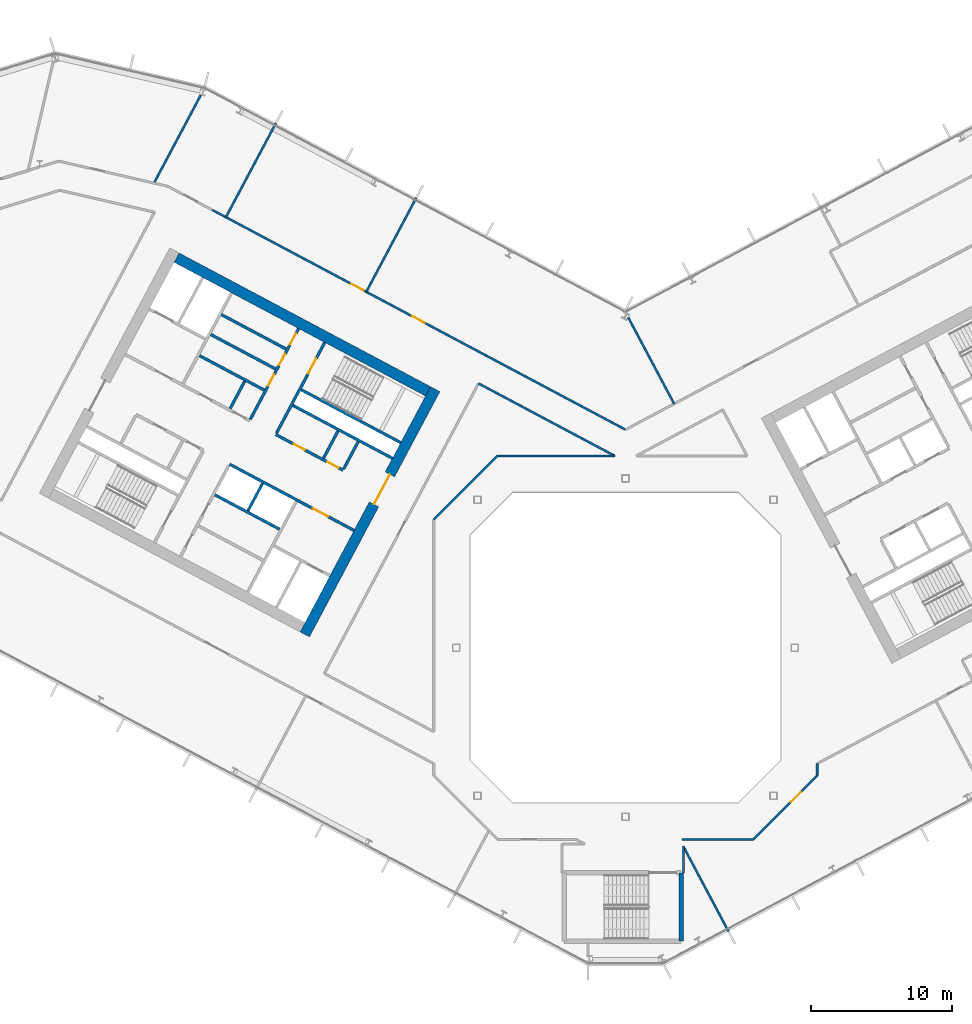
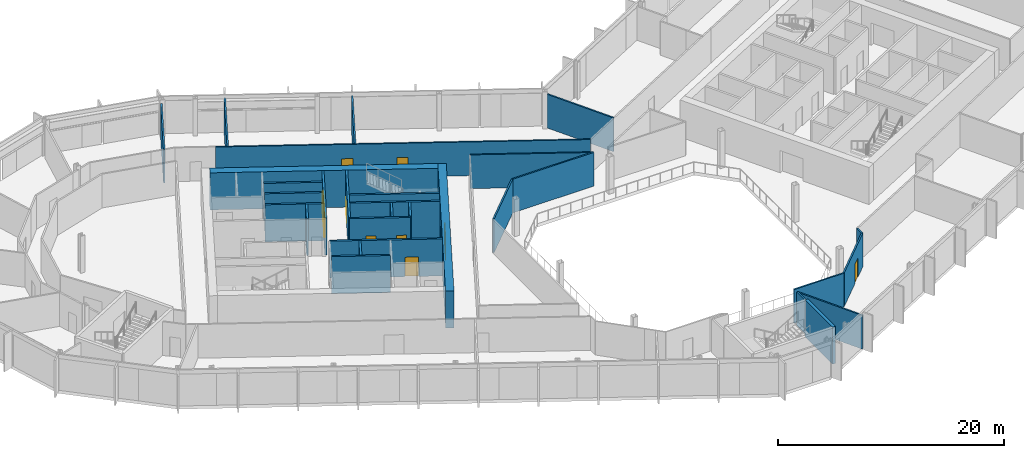
# One storey, part 15 of 28: 30 walls, 11 doors, 11 openings.
"""IFC4 building model written with IfcOpenShell, lengths in metres."""

from ifc_helpers import new_model, si_unit, direction, frame, frame_2d, origin, place, context, subcontext, project, spatial, rectangle, extrude, material, layer, layer_set, type_object, element, fill, save


model = new_model("IFC4")

# Units and contexts
model_context = context("Model", 3, precision=1e-05, world=origin(), true_north=direction((0.0, 1.0)))
body_context = subcontext(model_context, "Body", "Model", "MODEL_VIEW")
ifc_project = project(units=[si_unit("LENGTHUNIT", "METRE"), si_unit("AREAUNIT", "SQUARE_METRE"), si_unit("VOLUMEUNIT", "CUBIC_METRE"), si_unit("PLANEANGLEUNIT", "RADIAN"), si_unit("MASSUNIT", "GRAM", prefix="KILO")], contexts=[model_context])

# Site, building, storey
site_placement = place(None, origin())
site = spatial("IfcSite", under=ifc_project, at=site_placement, CompositionType="ELEMENT")
building_placement = place(site_placement, origin())
building = spatial("IfcBuilding", under=site, at=building_placement, Name="Cormorant Relay Tower", CompositionType="ELEMENT")
storey_placement = place(building_placement, frame((0.0, 0.0, 166.199951171875)))
storey = spatial("IfcBuildingStorey", under=building, at=storey_placement, Name="L35", CompositionType="ELEMENT", Elevation=166.199951171875)

# Walls
ifc_material_1 = material(Name="Concrete 40 MPa", Category="concrete")
ifc_layer_1 = layer(ifc_material_1, 0.199951171875)
ifc_layer_set_1 = layer_set([ifc_layer_1], Name="Core internal wall 200")
wall_type_1 = type_object("IfcWallType", Name="Core internal wall 200", PredefinedType="SOLIDWALL", material=ifc_layer_set_1)
wall_1_placement = place(storey_placement, frame((-20.39013671875, 15.371826171875, 0.0), z_axis=(0.0, 0.0, 1.0), x_axis=(-0.4694473164, -0.882960484464, 0.0)))
element("IfcWall", 1, at=wall_1_placement, inside=storey, type_object=wall_type_1, Name="L35 core A shaft and room wall", PredefinedType="SOLIDWALL", context=body_context, shape_type="SweptSolid", body=[
    extrude(rectangle(XDim=2.199951171875, YDim=0.199951171875, at=frame_2d((1.10009765625, 0.0))), origin(), (0.0, 0.0, 1.0), 4.0),
])
wall_2_placement = place(storey_placement, frame((-25.744140625, 11.64990234375, 0.0), z_axis=(0.0, 0.0, 1.0), x_axis=(-0.469487830541, -0.882938942948, 0.0)))
element("IfcWall", 2, at=wall_2_placement, inside=storey, type_object=wall_type_1, Name="L35 core A shaft and room wall", PredefinedType="SOLIDWALL", context=body_context, shape_type="SweptSolid", body=[
    extrude(rectangle(XDim=2.2001953125, YDim=0.199951171875, at=frame_2d((1.10009765625, 0.0))), origin(), (0.0, 0.0, 1.0), 4.0),
])
wall_3_placement = place(storey_placement, frame((-27.01220703125, 18.892822265625, 0.0), z_axis=(0.0, 0.0, 1.0), x_axis=(-0.4694473164, -0.882960484464, 0.0)))
element("IfcWall", 3, at=wall_3_placement, inside=storey, type_object=wall_type_1, Name="L35 core A shaft and room wall", PredefinedType="SOLIDWALL", context=body_context, shape_type="SweptSolid", body=[
    extrude(rectangle(XDim=2.199951171875, YDim=0.199951171875, at=frame_2d((1.10009765625, 0.0))), origin(), (0.0, 0.0, 1.0), 4.0),
])
for number, where, z_axis, x_axis, name in (
    (4, (-24.073974609375, 21.181396484375, 0.0), (0.0, 0.0, 1.0), (-0.882953967957, 0.469459572775, 0.0), "L35 core A shaft and room wall"),
    (5, (-24.824951171875, 19.7685546875, 0.0), (0.0, 0.0, 1.0), (-0.882934506056, 0.469496174655, 0.0), "L35 core A shaft and room wall"),
):
    element("IfcWall", number, at=place(storey_placement, frame(where, z_axis=z_axis, x_axis=x_axis)), inside=storey, type_object=wall_type_1, Name=name, PredefinedType="SOLIDWALL", context=body_context, shape_type="SweptSolid", body=[
        extrude(rectangle(XDim=5.199951171875, YDim=0.199951171875, at=frame_2d((2.60009765625, 0.0))), origin(), (0.0, 0.0, 1.0), 4.0),
    ])
ifc_material_2 = material(Name="Concrete 50 MPa", Category="concrete")
ifc_layer_2 = layer(ifc_material_2, 0.199951171875)
ifc_layer_set_2 = layer_set([ifc_layer_2], Name="Core shaft wall 200")
wall_type_2 = type_object("IfcWallType", Name="Core shaft wall 200", PredefinedType="SHEAR", material=ifc_layer_set_2)
wall_4_placement = place(storey_placement, frame((-18.959716796875, 14.611328125, 0.0), z_axis=(0.0, 0.0, 1.0), x_axis=(-0.4694473164, -0.882960484464, 0.0)))
element("IfcWall", 6, at=wall_4_placement, inside=storey, type_object=wall_type_2, Name="L35 core A shaft wall", PredefinedType="SHEAR", context=body_context, shape_type="SweptSolid", body=[
    extrude(rectangle(XDim=2.199951171875, YDim=0.199951171875, at=frame_2d((1.10009765625, 0.0))), origin(), (0.0, 0.0, 1.0), 4.0),
])

# Wall, opening, door
wall_5_placement = place(storey_placement, frame((-21.333251953125, 21.6494140625, 0.0), z_axis=(0.0, 0.0, 1.0), x_axis=(-0.469494272526, -0.882935517501, 0.0)))
wall_5 = element("IfcWall", 7, at=wall_5_placement, inside=storey, type_object=wall_type_2, Name="L35 core A shaft wall", PredefinedType="SHEAR", context=body_context, shape_type="SweptSolid", body=[
    extrude(rectangle(XDim=7.2998046875, YDim=0.199951171875, at=frame_2d((3.64990234375, 0.0))), origin(), (0.0, 0.0, 1.0), 4.0),
])
opening_1_placement = place(wall_5_placement, frame((1.300048828125, 0.0, 0.0)))
opening_1 = element("IfcOpeningElement", 8, at=opening_1_placement, cuts=wall_5, Name="Opening CDB-034", PredefinedType="OPENING", context=body_context, shape_type="SweptSolid", body=[
    extrude(rectangle(XDim=1.199951171875, YDim=2.10009765625, at=frame_2d((0.60009765625, 1.050048828125))), frame((0.0, 0.10986328125, 0.0), z_axis=(0.0, -1.0, 0.0), x_axis=(1.0, 0.0, 0.0)), (0.0, 0.0, 1.0), 0.219970703125),
])
ifc_material_3 = material(Name="Steel fire door", Category="steel")
door_type_1 = type_object("IfcDoorType", Name="Core stair door 1200x2100", OperationType="SINGLE_SWING_LEFT", PredefinedType="DOOR", material=ifc_material_3)
door_1_placement = place(opening_1_placement, origin())
door_1 = element("IfcDoor", 9, at=door_1_placement, inside=storey, type_object=door_type_1, Name="Core stair door 1200x2100", OperationType="SINGLE_SWING_RIGHT", OverallHeight=2.10009765625, OverallWidth=1.199951171875, PredefinedType="DOOR", context=body_context, shape_type="SweptSolid", body=[
    extrude(rectangle(XDim=1.199951171875, YDim=2.10009765625, at=frame_2d((0.60009765625, 1.050048828125))), frame((0.0, 0.02490234375, 0.0), z_axis=(0.0, -1.0, 0.0), x_axis=(1.0, 0.0, 0.0)), (0.0, 0.0, 1.0), 0.050048828125),
])
fill(opening_1, door_1)

# Wall, openings, doors
wall_6_placement = place(storey_placement, frame((-23.1875, 22.635498046875, 0.0), z_axis=(0.0, 0.0, 1.0), x_axis=(-0.469454336211, -0.882956752176, 0.0)))
wall_6 = element("IfcWall", 10, at=wall_6_placement, inside=storey, type_object=wall_type_2, Name="L35 core A shaft wall", PredefinedType="SHEAR", context=body_context, shape_type="SweptSolid", body=[
    extrude(rectangle(XDim=7.300048828125, YDim=0.199951171875, at=frame_2d((3.64990234375, 0.0))), origin(), (0.0, 0.0, 1.0), 4.0),
])
opening_2_placement = place(wall_6_placement, frame((0.39990234375, 0.0, 0.0)))
opening_2 = element("IfcOpeningElement", 11, at=opening_2_placement, cuts=wall_6, Name="Opening CDD-174", PredefinedType="OPENING", context=body_context, shape_type="SweptSolid", body=[
    extrude(rectangle(XDim=0.89990234375, YDim=2.10009765625, at=frame_2d((0.449951171875, 1.050048828125))), frame((0.0, 0.10986328125, 0.0), z_axis=(0.0, -1.0, 0.0), x_axis=(1.0, 0.0, 0.0)), (0.0, 0.0, 1.0), 0.219970703125),
])
opening_3_placement = place(wall_6_placement, frame((2.050048828125, 0.0, 0.0)))
opening_3 = element("IfcOpeningElement", 12, at=opening_3_placement, cuts=wall_6, Name="Opening CDD-212", PredefinedType="OPENING", context=body_context, shape_type="SweptSolid", body=[
    extrude(rectangle(XDim=0.89990234375, YDim=2.10009765625, at=frame_2d((0.449951171875, 1.050048828125))), frame((0.0, 0.10986328125, 0.0), z_axis=(0.0, -1.0, 0.0), x_axis=(1.0, 0.0, 0.0)), (0.0, 0.0, 1.0), 0.219970703125),
])
opening_4_placement = place(wall_6_placement, frame((3.699951171875, 0.0, 0.0)))
opening_4 = element("IfcOpeningElement", 13, at=opening_4_placement, cuts=wall_6, Name="Opening CDD-200", PredefinedType="OPENING", context=body_context, shape_type="SweptSolid", body=[
    extrude(rectangle(XDim=0.89990234375, YDim=2.10009765625, at=frame_2d((0.449951171875, 1.050048828125))), frame((0.0, 0.10986328125, 0.0), z_axis=(0.0, -1.0, 0.0), x_axis=(1.0, 0.0, 0.0)), (0.0, 0.0, 1.0), 0.219970703125),
])
ifc_material_4 = material(Name="Steel fire door", Category="steel")
door_type_2 = type_object("IfcDoorType", Name="Core room door 900x2100", OperationType="SINGLE_SWING_LEFT", PredefinedType="DOOR", material=ifc_material_4)
door_2_placement = place(opening_2_placement, origin())
door_2 = element("IfcDoor", 14, at=door_2_placement, inside=storey, type_object=door_type_2, Name="Core room door 900x2100", OperationType="SINGLE_SWING_LEFT", OverallHeight=2.10009765625, OverallWidth=0.89990234375, PredefinedType="DOOR", context=body_context, shape_type="SweptSolid", body=[
    extrude(rectangle(XDim=0.89990234375, YDim=2.10009765625, at=frame_2d((0.449951171875, 1.050048828125))), frame((0.0, 0.02490234375, 0.0), z_axis=(0.0, -1.0, 0.0), x_axis=(1.0, 0.0, 0.0)), (0.0, 0.0, 1.0), 0.050048828125),
])
fill(opening_2, door_2)
door_3_placement = place(opening_3_placement, origin())
door_3 = element("IfcDoor", 15, at=door_3_placement, inside=storey, type_object=door_type_2, Name="Core room door 900x2100", OperationType="SINGLE_SWING_LEFT", OverallHeight=2.10009765625, OverallWidth=0.89990234375, PredefinedType="DOOR", context=body_context, shape_type="SweptSolid", body=[
    extrude(rectangle(XDim=0.89990234375, YDim=2.10009765625, at=frame_2d((0.449951171875, 1.050048828125))), frame((0.0, 0.02490234375, 0.0), z_axis=(0.0, -1.0, 0.0), x_axis=(1.0, 0.0, 0.0)), (0.0, 0.0, 1.0), 0.050048828125),
])
fill(opening_3, door_3)
door_4_placement = place(opening_4_placement, origin())
door_4 = element("IfcDoor", 16, at=door_4_placement, inside=storey, type_object=door_type_2, Name="Core room door 900x2100", OperationType="SINGLE_SWING_LEFT", OverallHeight=2.10009765625, OverallWidth=0.89990234375, PredefinedType="DOOR", context=body_context, shape_type="SweptSolid", body=[
    extrude(rectangle(XDim=0.89990234375, YDim=2.10009765625, at=frame_2d((0.449951171875, 1.050048828125))), frame((0.0, 0.02490234375, 0.0), z_axis=(0.0, -1.0, 0.0), x_axis=(1.0, 0.0, 0.0)), (0.0, 0.0, 1.0), 0.050048828125),
])
fill(opening_4, door_4)

# Walls
wall_7_placement = place(storey_placement, frame((-15.94189453125, 14.53564453125, 0.0), z_axis=(0.0, 0.0, 1.0), x_axis=(-0.882946947542, 0.469472776449, 0.0)))
element("IfcWall", 17, at=wall_7_placement, inside=storey, type_object=wall_type_2, Name="L35 core A shaft wall", PredefinedType="SHEAR", context=body_context, shape_type="SweptSolid", body=[
    extrude(rectangle(XDim=8.000244140625, YDim=0.199951171875, at=frame_2d((4.0, 0.0))), origin(), (0.0, 0.0, 1.0), 4.0),
])
wall_8_placement = place(storey_placement, frame((-16.52880859375, 13.43212890625, 0.0), z_axis=(0.0, 0.0, 1.0), x_axis=(-0.88295287151, 0.469461634952, 0.0)))
element("IfcWall", 18, at=wall_8_placement, inside=storey, type_object=wall_type_2, Name="L35 core A shaft wall", PredefinedType="SHEAR", context=body_context, shape_type="SweptSolid", body=[
    extrude(rectangle(XDim=7.999755859375, YDim=0.199951171875, at=frame_2d((4.0, 0.0))), origin(), (0.0, 0.0, 1.0), 4.0),
])
wall_9_placement = place(storey_placement, frame((-25.623046875, 18.267578125, 0.0), z_axis=(0.0, 0.0, 1.0), x_axis=(-0.882953967957, 0.469459572775, 0.0)))
element("IfcWall", 19, at=wall_9_placement, inside=storey, type_object=wall_type_2, Name="L35 core A shaft wall", PredefinedType="SHEAR", context=body_context, shape_type="SweptSolid", body=[
    extrude(rectangle(XDim=5.199951171875, YDim=0.199951171875, at=frame_2d((2.60009765625, 0.0))), origin(), (0.0, 0.0, 1.0), 4.0),
])

# Wall, openings, doors
wall_10_placement = place(storey_placement, frame((-20.03955078125, 12.58056640625, 0.0), z_axis=(0.0, 0.0, 1.0), x_axis=(-0.882942972946, 0.469480251476, 0.0)))
wall_10 = element("IfcWall", 20, at=wall_10_placement, inside=storey, type_object=wall_type_2, Name="L35 core A shaft wall", PredefinedType="SHEAR", context=body_context, shape_type="SweptSolid", body=[
    extrude(rectangle(XDim=5.39990234375, YDim=0.199951171875, at=frame_2d((2.699951171875, 0.0))), origin(), (0.0, 0.0, 1.0), 4.0),
])
opening_5_placement = place(wall_10_placement, frame((0.360107421875, 0.0, 0.0)))
opening_5 = element("IfcOpeningElement", 21, at=opening_5_placement, cuts=wall_10, Name="Opening CDD-168", PredefinedType="OPENING", context=body_context, shape_type="SweptSolid", body=[
    extrude(rectangle(XDim=0.89990234375, YDim=2.10009765625, at=frame_2d((0.449951171875, 1.050048828125))), frame((0.0, 0.10986328125, 0.0), z_axis=(0.0, -1.0, 0.0), x_axis=(1.0, 0.0, 0.0)), (0.0, 0.0, 1.0), 0.219970703125),
])
opening_6_placement = place(wall_10_placement, frame((3.06005859375, 0.0, 0.0)))
opening_6 = element("IfcOpeningElement", 22, at=opening_6_placement, cuts=wall_10, Name="Opening CDD-169", PredefinedType="OPENING", context=body_context, shape_type="SweptSolid", body=[
    extrude(rectangle(XDim=0.89990234375, YDim=2.10009765625, at=frame_2d((0.449951171875, 1.050048828125))), frame((0.0, 0.10986328125, 0.0), z_axis=(0.0, -1.0, 0.0), x_axis=(1.0, 0.0, 0.0)), (0.0, 0.0, 1.0), 0.219970703125),
])
door_5_placement = place(opening_5_placement, origin())
door_5 = element("IfcDoor", 23, at=door_5_placement, inside=storey, type_object=door_type_2, Name="Core room door 900x2100", OperationType="SINGLE_SWING_LEFT", OverallHeight=2.10009765625, OverallWidth=0.89990234375, PredefinedType="DOOR", context=body_context, shape_type="SweptSolid", body=[
    extrude(rectangle(XDim=0.89990234375, YDim=2.10009765625, at=frame_2d((0.449951171875, 1.050048828125))), frame((0.0, 0.02490234375, 0.0), z_axis=(0.0, -1.0, 0.0), x_axis=(1.0, 0.0, 0.0)), (0.0, 0.0, 1.0), 0.050048828125),
])
fill(opening_5, door_5)
door_6_placement = place(opening_6_placement, origin())
door_6 = element("IfcDoor", 24, at=door_6_placement, inside=storey, type_object=door_type_2, Name="Core room door 900x2100", OperationType="SINGLE_SWING_LEFT", OverallHeight=2.10009765625, OverallWidth=0.89990234375, PredefinedType="DOOR", context=body_context, shape_type="SweptSolid", body=[
    extrude(rectangle(XDim=0.89990234375, YDim=2.10009765625, at=frame_2d((0.449951171875, 1.050048828125))), frame((0.0, 0.02490234375, 0.0), z_axis=(0.0, -1.0, 0.0), x_axis=(1.0, 0.0, 0.0)), (0.0, 0.0, 1.0), 0.050048828125),
])
fill(opening_6, door_6)

# Wall, opening, door
wall_11_placement = place(storey_placement, frame((-19.251708984375, 8.31103515625, 0.0), z_axis=(0.0, 0.0, 1.0), x_axis=(-0.882955722218, 0.469456273365, 0.0)))
wall_11 = element("IfcWall", 25, at=wall_11_placement, inside=storey, type_object=wall_type_2, Name="L35 core A shaft wall", PredefinedType="SHEAR", context=body_context, shape_type="SweptSolid", body=[
    extrude(rectangle(XDim=10.0, YDim=0.199951171875, at=frame_2d((5.0, 0.0))), origin(), (0.0, 0.0, 1.0), 4.0),
])
opening_7_placement = place(wall_11_placement, frame((2.10009765625, 0.0, 0.0)))
opening_7 = element("IfcOpeningElement", 26, at=opening_7_placement, cuts=wall_11, Name="Opening CDC-025", PredefinedType="OPENING", context=body_context, shape_type="SweptSolid", body=[
    extrude(rectangle(XDim=1.199951171875, YDim=2.10009765625, at=frame_2d((0.60009765625, 1.050048828125))), frame((0.0, 0.10986328125, 0.0), z_axis=(0.0, -1.0, 0.0), x_axis=(1.0, 0.0, 0.0)), (0.0, 0.0, 1.0), 0.219970703125),
])
ifc_material_5 = material(Name="Steel fire door", Category="steel")
door_type_3 = type_object("IfcDoorType", Name="Core lobby door 1200x2100", OperationType="SINGLE_SWING_LEFT", PredefinedType="DOOR", material=ifc_material_5)
door_7_placement = place(opening_7_placement, origin())
door_7 = element("IfcDoor", 27, at=door_7_placement, inside=storey, type_object=door_type_3, Name="Core lobby door 1200x2100", OperationType="SINGLE_SWING_RIGHT", OverallHeight=2.10009765625, OverallWidth=1.199951171875, PredefinedType="DOOR", context=body_context, shape_type="SweptSolid", body=[
    extrude(rectangle(XDim=1.199951171875, YDim=2.10009765625, at=frame_2d((0.60009765625, 1.050048828125))), frame((0.0, 0.02490234375, 0.0), z_axis=(0.0, -1.0, 0.0), x_axis=(1.0, 0.0, 0.0)), (0.0, 0.0, 1.0), 0.050048828125),
])
fill(opening_7, door_7)

# Wall
wall_12_placement = place(storey_placement, frame((-24.5283203125, 8.3984375, 0.0), z_axis=(0.0, 0.0, 1.0), x_axis=(-0.882953967957, 0.469459572775, 0.0)))
element("IfcWall", 28, at=wall_12_placement, inside=storey, type_object=wall_type_2, Name="L35 core A shaft wall", PredefinedType="SHEAR", context=body_context, shape_type="SweptSolid", body=[
    extrude(rectangle(XDim=5.199951171875, YDim=0.199951171875, at=frame_2d((2.60009765625, 0.0))), origin(), (0.0, 0.0, 1.0), 4.0),
])

# Wall, opening, door
ifc_material_6 = material(Name="Concrete 60 MPa", Category="concrete")
ifc_layer_3 = layer(ifc_material_6, 0.75)
ifc_layer_set_3 = layer_set([ifc_layer_3], Name="Core wall 750")
wall_type_3 = type_object("IfcWallType", Name="Core wall 750", PredefinedType="SHEAR", material=ifc_layer_set_3)
wall_13_placement = place(storey_placement, frame((-13.498291015625, 18.3330078125, 0.0), z_axis=(0.0, 0.0, 1.0), x_axis=(-0.469469918705, -0.88294846703, 0.0)))
wall_13 = element("IfcWall", 29, at=wall_13_placement, inside=storey, type_object=wall_type_3, Name="L35 core A wall", PredefinedType="SHEAR", context=body_context, shape_type="SweptSolid", body=[
    extrude(rectangle(XDim=19.699951171875, YDim=0.75, at=frame_2d((9.85009765625, 0.0))), origin(), (0.0, 0.0, 1.0), 4.0),
])
opening_8_placement = place(wall_13_placement, frame((6.85009765625, 0.0, 0.0)))
opening_8 = element("IfcOpeningElement", 30, at=opening_8_placement, cuts=wall_13, Name="Opening CDA-026", PredefinedType="OPENING", context=body_context, shape_type="SweptSolid", body=[
    extrude(rectangle(XDim=2.39990234375, YDim=2.39990234375, at=frame_2d((1.199951171875, 1.199951171875))), frame((0.0, 0.385009765625, 0.0), z_axis=(0.0, -1.0, 0.0), x_axis=(1.0, 0.0, 0.0)), (0.0, 0.0, 1.0), 0.77001953125),
])
ifc_material_7 = material(Name="Steel fire door", Category="steel")
door_type_4 = type_object("IfcDoorType", Name="Core lobby door 2400x2400", OperationType="DOUBLE_DOOR_SINGLE_SWING", PredefinedType="DOOR", material=ifc_material_7)
door_8_placement = place(opening_8_placement, origin())
door_8 = element("IfcDoor", 31, at=door_8_placement, inside=storey, type_object=door_type_4, Name="Core lobby door 2400x2400", OperationType="DOUBLE_DOOR_SINGLE_SWING", OverallHeight=2.39990234375, OverallWidth=2.39990234375, PredefinedType="DOOR", context=body_context, shape_type="SweptSolid", body=[
    extrude(rectangle(XDim=2.39990234375, YDim=2.39990234375, at=frame_2d((1.199951171875, 1.199951171875))), frame((0.0, 0.02490234375, 0.0), z_axis=(0.0, -1.0, 0.0), x_axis=(1.0, 0.0, 0.0)), (0.0, 0.0, 1.0), 0.050048828125),
])
fill(opening_8, door_8)

# Wall
wall_14_placement = place(storey_placement, frame((-14.00537109375, 18.177978515625, 0.0), z_axis=(0.0, 0.0, 1.0), x_axis=(-0.88295010195, 0.469466843842, 0.0)))
element("IfcWall", 32, at=wall_14_placement, inside=storey, type_object=wall_type_3, Name="L35 core A wall", PredefinedType="SHEAR", context=body_context, shape_type="SweptSolid", body=[
    extrude(rectangle(XDim=20.199951171875, YDim=0.75, at=frame_2d((10.10009765625, 0.0))), origin(), (0.0, 0.0, 1.0), 4.0),
])

# Wall, openings, doors
ifc_material_8 = material(Name="Gypsum board fire partition")
ifc_layer_4 = layer(ifc_material_8, 0.14990234375)
ifc_layer_set_4 = layer_set([ifc_layer_4], Name="Corridor partition 150 EI 60")
wall_type_4 = type_object("IfcWallType", Name="Corridor partition 150 EI 60", PredefinedType="PARTITIONING", material=ifc_layer_set_4)
wall_15_placement = place(storey_placement, frame((-29.302001953125, 31.0400390625, 0.0), z_axis=(0.0, 0.0, 1.0), x_axis=(0.882948500672, -0.469469855433, 0.0)))
wall_15 = element("IfcWall", 33, at=wall_15_placement, inside=storey, type_object=wall_type_4, Name="wall/L35/part/033", PredefinedType="PARTITIONING", context=body_context, shape_type="SweptSolid", body=[
    extrude(rectangle(XDim=33.1865234375, YDim=0.14990234375, at=frame_2d((16.59326171875, 0.0))), origin(), (0.0, 0.0, 1.0), 3.64013671875),
])
opening_9_placement = place(wall_15_placement, frame((16.050048828125, 0.0, 0.0)))
opening_9 = element("IfcOpeningElement", 34, at=opening_9_placement, cuts=wall_15, Name="Opening DS-067", PredefinedType="OPENING", context=body_context, shape_type="SweptSolid", body=[
    extrude(rectangle(XDim=1.0, YDim=2.10009765625, at=frame_2d((0.5, 1.050048828125))), frame((0.0, 0.0849609375, 0.0), z_axis=(0.0, -1.0, 0.0), x_axis=(1.0, 0.0, 0.0)), (0.0, 0.0, 1.0), 0.169921875),
])
opening_10_placement = place(wall_15_placement, frame((11.14990234375, 0.0, 0.0)))
opening_10 = element("IfcOpeningElement", 35, at=opening_10_placement, cuts=wall_15, Name="Opening DS-068", PredefinedType="OPENING", context=body_context, shape_type="SweptSolid", body=[
    extrude(rectangle(XDim=1.0, YDim=2.10009765625, at=frame_2d((0.5, 1.050048828125))), frame((0.0, 0.0849609375, 0.0), z_axis=(0.0, -1.0, 0.0), x_axis=(1.0, 0.0, 0.0)), (0.0, 0.0, 1.0), 0.169921875),
])
ifc_material_9 = material(Name="Timber door leaf", Category="wood")
door_type_5 = type_object("IfcDoorType", Name="Suite door 1000x2100", OperationType="SINGLE_SWING_LEFT", PredefinedType="DOOR", material=ifc_material_9)
door_9_placement = place(opening_9_placement, origin())
door_9 = element("IfcDoor", 36, at=door_9_placement, inside=storey, type_object=door_type_5, Name="door/L35/008", OperationType="SINGLE_SWING_RIGHT", OverallHeight=2.10009765625, OverallWidth=1.0, PredefinedType="DOOR", context=body_context, shape_type="SweptSolid", body=[
    extrude(rectangle(XDim=1.0, YDim=2.10009765625, at=frame_2d((0.5, 1.050048828125))), frame((0.0, 0.02490234375, 0.0), z_axis=(0.0, -1.0, 0.0), x_axis=(1.0, 0.0, 0.0)), (0.0, 0.0, 1.0), 0.050048828125),
])
fill(opening_9, door_9)
door_10_placement = place(opening_10_placement, origin())
door_10 = element("IfcDoor", 37, at=door_10_placement, inside=storey, type_object=door_type_5, Name="door/L35/009", OperationType="SINGLE_SWING_RIGHT", OverallHeight=2.10009765625, OverallWidth=1.0, PredefinedType="DOOR", context=body_context, shape_type="SweptSolid", body=[
    extrude(rectangle(XDim=1.0, YDim=2.10009765625, at=frame_2d((0.5, 1.050048828125))), frame((0.0, 0.02490234375, 0.0), z_axis=(0.0, -1.0, 0.0), x_axis=(1.0, 0.0, 0.0)), (0.0, 0.0, 1.0), 0.050048828125),
])
fill(opening_10, door_10)

# Wall
wall_16_placement = place(storey_placement, frame((13.60009765625, -8.23291015625, 0.0), z_axis=(0.0, 0.0, 1.0), x_axis=(0.0, -1.0, 0.0)))
element("IfcWall", 38, at=wall_16_placement, inside=storey, type_object=wall_type_4, Name="wall/L35/part/050", PredefinedType="PARTITIONING", context=body_context, shape_type="SweptSolid", body=[
    extrude(rectangle(XDim=0.843994140625, YDim=0.14990234375, at=frame_2d((0.421875, 0.0))), origin(), (0.0, 0.0, 1.0), 3.64013671875),
])

# Wall, opening, door
wall_17_placement = place(storey_placement, frame((13.60009765625, -9.076904296875, 0.0), z_axis=(0.0, 0.0, 1.0), x_axis=(-0.707106781187, -0.707106781187, 0.0)))
wall_17 = element("IfcWall", 39, at=wall_17_placement, inside=storey, type_object=wall_type_4, Name="wall/L35/part/051", PredefinedType="PARTITIONING", context=body_context, shape_type="SweptSolid", body=[
    extrude(rectangle(XDim=6.396728515625, YDim=0.14990234375, at=frame_2d((3.1982421875, 0.0))), origin(), (0.0, 0.0, 1.0), 3.64013671875),
])
opening_11_placement = place(wall_17_placement, frame((1.64990234375, 0.0, 0.0)))
opening_11 = element("IfcOpeningElement", 40, at=opening_11_placement, cuts=wall_17, Name="Opening DS-064", PredefinedType="OPENING", context=body_context, shape_type="SweptSolid", body=[
    extrude(rectangle(XDim=1.0, YDim=2.10009765625, at=frame_2d((0.5, 1.050048828125))), frame((0.0, 0.0849609375, 0.0), z_axis=(0.0, -1.0, 0.0), x_axis=(1.0, 0.0, 0.0)), (0.0, 0.0, 1.0), 0.169921875),
])
door_11_placement = place(opening_11_placement, origin())
door_11 = element("IfcDoor", 41, at=door_11_placement, inside=storey, type_object=door_type_5, Name="door/L35/003", OperationType="SINGLE_SWING_LEFT", OverallHeight=2.10009765625, OverallWidth=1.0, PredefinedType="DOOR", context=body_context, shape_type="SweptSolid", body=[
    extrude(rectangle(XDim=1.0, YDim=2.10009765625, at=frame_2d((0.5, 1.050048828125))), frame((0.0, 0.02490234375, 0.0), z_axis=(0.0, -1.0, 0.0), x_axis=(1.0, 0.0, 0.0)), (0.0, 0.0, 1.0), 0.050048828125),
])
fill(opening_11, door_11)

# Walls
wall_18_placement = place(storey_placement, frame((9.076904296875, -13.60009765625, 0.0), z_axis=(0.0, 0.0, 1.0), x_axis=(-1.0, 0.0, 0.0)))
element("IfcWall", 42, at=wall_18_placement, inside=storey, type_object=wall_type_4, Name="wall/L35/part/052", PredefinedType="PARTITIONING", context=body_context, shape_type="SweptSolid", body=[
    extrude(rectangle(XDim=5.077880859375, YDim=0.14990234375, at=frame_2d((2.5390625, 0.0))), origin(), (0.0, 0.0, 1.0), 3.64013671875),
])
wall_19_placement = place(storey_placement, frame((4.10009765625, -14.083984375, 0.0), z_axis=(0.0, 0.0, 1.0), x_axis=(0.0, -1.0, 0.0)))
element("IfcWall", 43, at=wall_19_placement, inside=storey, type_object=wall_type_4, Name="wall/L35/part/053", PredefinedType="PARTITIONING", context=body_context, shape_type="SweptSolid", body=[
    extrude(rectangle(XDim=1.89111328125, YDim=0.14990234375, at=frame_2d((0.945556640625, 0.0))), origin(), (0.0, 0.0, 1.0), 3.64013671875),
])
wall_20_placement = place(storey_placement, frame((-10.424072265625, 18.737060546875, 0.0), z_axis=(0.0, 0.0, 1.0), x_axis=(0.88294579514, -0.469474943787, 0.0)))
element("IfcWall", 44, at=wall_20_placement, inside=storey, type_object=wall_type_4, Name="wall/L35/part/077", PredefinedType="PARTITIONING", context=body_context, shape_type="SweptSolid", body=[
    extrude(rectangle(XDim=10.94189453125, YDim=0.14990234375, at=frame_2d((5.470947265625, 0.0))), origin(), (0.0, 0.0, 1.0), 3.64013671875),
])
wall_21_placement = place(storey_placement, frame((-0.762939453125, 13.60009765625, 0.0), z_axis=(0.0, 0.0, 1.0), x_axis=(-1.0, 0.0, 0.0)))
element("IfcWall", 45, at=wall_21_placement, inside=storey, type_object=wall_type_4, Name="wall/L35/part/078", PredefinedType="PARTITIONING", context=body_context, shape_type="SweptSolid", body=[
    extrude(rectangle(XDim=8.31396484375, YDim=0.14990234375, at=frame_2d((4.156982421875, 0.0))), origin(), (0.0, 0.0, 1.0), 3.64013671875),
])
wall_22_placement = place(storey_placement, frame((-9.076904296875, 13.60009765625, 0.0), z_axis=(0.0, 0.0, 1.0), x_axis=(-0.707106781187, -0.707106781187, 0.0)))
element("IfcWall", 46, at=wall_22_placement, inside=storey, type_object=wall_type_4, Name="wall/L35/part/079", PredefinedType="PARTITIONING", context=body_context, shape_type="SweptSolid", body=[
    extrude(rectangle(XDim=6.396728515625, YDim=0.14990234375, at=frame_2d((3.1982421875, 0.0))), origin(), (0.0, 0.0, 1.0), 3.64013671875),
])
ifc_material_10 = material(Name="Concrete 50 MPa", Category="concrete")
ifc_layer_5 = layer(ifc_material_10, 0.300048828125)
ifc_layer_set_5 = layer_set([ifc_layer_5], Name="Remote stair wall 300")
wall_type_5 = type_object("IfcWallType", Name="Remote stair wall 300", PredefinedType="SHEAR", material=ifc_layer_set_5)
wall_23_placement = place(storey_placement, frame((3.949951171875, -15.97509765625, 0.0), z_axis=(0.0, 0.0, 1.0), x_axis=(0.0, -1.0, 0.0)))
element("IfcWall", 47, at=wall_23_placement, inside=storey, type_object=wall_type_5, Name="L35 exit stair RK1 wall", PredefinedType="SHEAR", context=body_context, shape_type="SweptSolid", body=[
    extrude(rectangle(XDim=4.849853515625, YDim=0.300048828125, at=frame_2d((2.4248046875, 0.0))), origin(), (0.0, 0.0, 1.0), 4.0),
])
ifc_material_11 = material(Name="Gypsum board partition")
ifc_layer_6 = layer(ifc_material_11, 0.14990234375)
ifc_layer_set_6 = layer_set([ifc_layer_6], Name="Tenant partition 150")
wall_type_6 = type_object("IfcWallType", Name="Tenant partition 150", PredefinedType="PARTITIONING", material=ifc_layer_set_6)
wall_24_placement = place(storey_placement, frame((-30.12890625, 39.18798828125, 0.0), z_axis=(0.0, 0.0, 1.0), x_axis=(-0.469506376509, -0.882929081194, 0.0)))
element("IfcWall", 48, at=wall_24_placement, inside=storey, type_object=wall_type_6, Name="wall/L35/part/030", PredefinedType="PARTITIONING", context=body_context, shape_type="SweptSolid", body=[
    extrude(rectangle(XDim=7.065185546875, YDim=0.14990234375, at=frame_2d((3.53271484375, 0.0))), origin(), (0.0, 0.0, 1.0), 3.64013671875),
])
for number, where, z_axis, x_axis, name in (
    (49, (-24.800048828125, 37.197021484375, 0.0), (0.0, 0.0, 1.0), (-0.469527165858, -0.882918025935, 0.0), "wall/L35/part/035"),
    (50, (-14.843994140625, 31.903076171875, 0.0), (0.0, 0.0, 1.0), (-0.469271860983, -0.883053747226, 0.0), "wall/L35/part/036"),
):
    element("IfcWall", number, at=place(storey_placement, frame(where, z_axis=z_axis, x_axis=x_axis)), inside=storey, type_object=wall_type_6, Name=name, PredefinedType="PARTITIONING", context=body_context, shape_type="SweptSolid", body=[
        extrude(rectangle(XDim=7.550048828125, YDim=0.14990234375, at=frame_2d((3.77490234375, 0.0))), origin(), (0.0, 0.0, 1.0), 3.64013671875),
    ])
wall_25_placement = place(storey_placement, frame((0.19091796875, 23.422119140625, 0.0), z_axis=(0.0, 0.0, 1.0), x_axis=(0.46954180368, -0.882910241529, 0.0)))
element("IfcWall", 51, at=wall_25_placement, inside=storey, type_object=wall_type_6, Name="wall/L35/part/037", PredefinedType="PARTITIONING", context=body_context, shape_type="SweptSolid", body=[
    extrude(rectangle(XDim=6.94091796875, YDim=0.14990234375, at=frame_2d((3.470458984375, 0.0))), origin(), (0.0, 0.0, 1.0), 3.64013671875),
])
wall_26_placement = place(storey_placement, frame((7.303955078125, -20.126953125, 0.0), z_axis=(0.0, 0.0, 1.0), x_axis=(-0.469394067071, 0.882988793699, 0.0)))
element("IfcWall", 52, at=wall_26_placement, inside=storey, type_object=wall_type_6, Name="wall/L35/part/054", PredefinedType="PARTITIONING", context=body_context, shape_type="SweptSolid", body=[
    extrude(rectangle(XDim=6.825439453125, YDim=0.14990234375, at=frame_2d((3.41259765625, 0.0))), origin(), (0.0, 0.0, 1.0), 3.64013671875),
])

save(model, "model.ifc")
